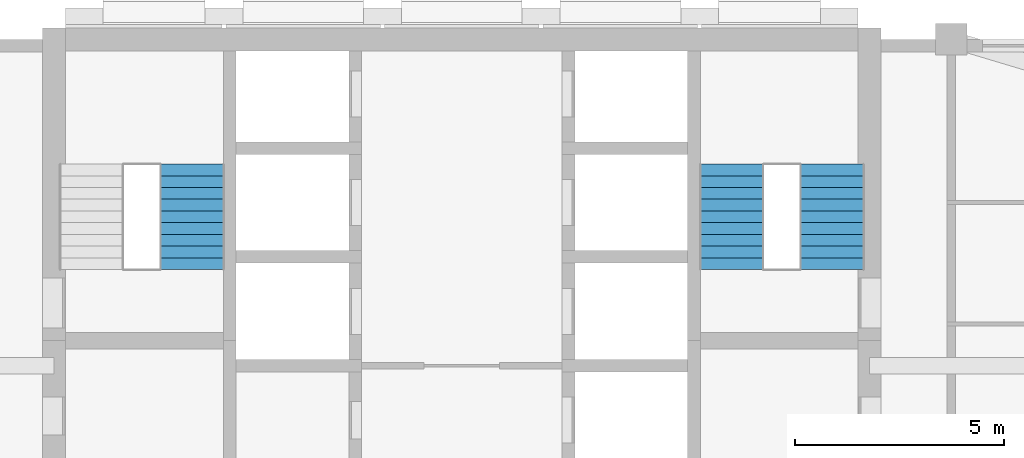
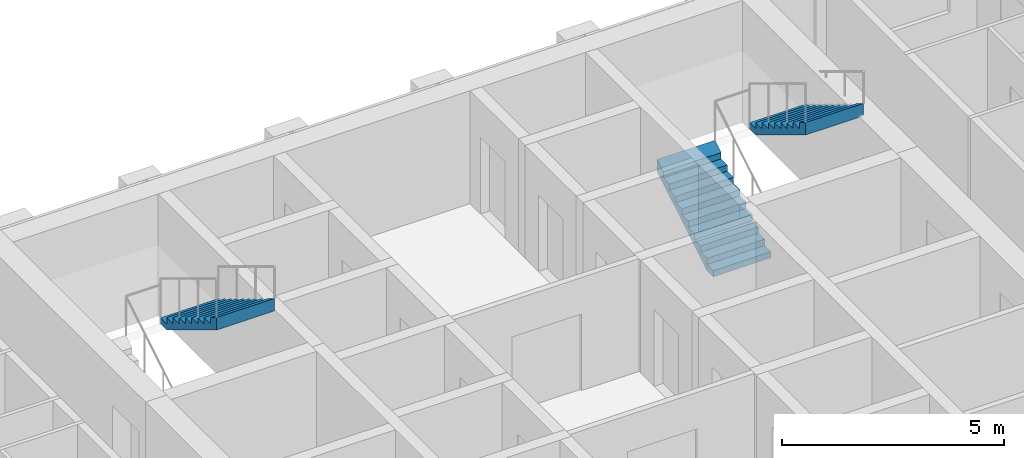
# One storey, part 11 of 13: 3 stair flights, 2 elements without a shape of their own.
"""IFC4 building model written with IfcOpenShell, lengths in metres."""

from ifc_helpers import new_model, si_unit, direction, frame, origin, place, context, subcontext, project, spatial, triangles, material, type_object, element, aggregate, save


model = new_model("IFC4")

# Units and contexts
model_context = context("Model", 3, precision=1e-05, world=origin(), true_north=direction((0.0, 1.0)))
body_context = subcontext(model_context, "Body", "Model", "MODEL_VIEW")
ifc_project = project(units=[si_unit("LENGTHUNIT", "METRE"), si_unit("AREAUNIT", "SQUARE_METRE"), si_unit("VOLUMEUNIT", "CUBIC_METRE"), si_unit("PLANEANGLEUNIT", "RADIAN"), si_unit("MASSUNIT", "GRAM", prefix="KILO")], contexts=[model_context])

# Site, building, storey
site_placement = place(None, origin())
site = spatial("IfcSite", under=ifc_project, at=site_placement, CompositionType="ELEMENT")
building_placement = place(site_placement, origin())
building = spatial("IfcBuilding", under=site, at=building_placement, Name="Ludao Terraces", CompositionType="ELEMENT")
storey_placement = place(building_placement, frame((0.0, 0.0, 169.0)))
storey = spatial("IfcBuildingStorey", under=building, at=storey_placement, Name="L46", CompositionType="ELEMENT", Elevation=169.0)

# Stair, stair flight
ifc_material = material(Name="Concrete C40", Category="concrete")
stair_type = type_object("IfcStairType", Name="INT Stair", PredefinedType="HALF_TURN_STAIR", material=ifc_material)
stair_1_placement = place(storey_placement, origin())
stair_1 = element("IfcStair", 1, at=stair_1_placement, inside=storey, type_object=stair_type, Name="EXIT STAIR 1", PredefinedType="HALF_TURN_STAIR")
stair_flight_type = type_object("IfcStairFlightType", Name="INT Stair flight", PredefinedType="STRAIGHT", material=ifc_material)
stair_flight_1_placement = place(storey_placement, frame((78.550048828125, 81.52001953125, 1.699951171875), z_axis=(0.0, 0.0, 1.0), x_axis=(0.0, -1.0, 0.0)))
stair_flight_1 = element("IfcStairFlight", 2, at=stair_flight_1_placement, type_object=stair_flight_type, Name="ST1 flight 2", NumberOfRisers=10, NumberOfTreads=9, PredefinedType="STRAIGHT", RiserHeight=0.17, TreadLength=0.28, context=body_context, shape_type="Tessellation", body=[
    triangles([(0.0, -0.75, 0.0), (0.0, -0.5, 0.0), (0.0, -0.25, 0.0), (0.0, 0.0, 0.0), (0.0, 0.25, 0.0), (0.0, 0.5, 0.0), (0.0, 0.75, 0.0), (0.0, -0.75, 0.169921875), (0.0, -0.5, 0.169921875), (0.0, -0.25, 0.169921875), (0.0, 0.0, 0.169921875), (0.0, 0.25, 0.169921875), (0.0, 0.5, 0.169921875), (0.0, 0.75, 0.169921875), (0.280029296875, -0.75, 0.169921875), (0.280029296875, -0.5, 0.169921875), (0.280029296875, -0.25, 0.169921875), (0.280029296875, 0.0, 0.169921875), (0.280029296875, 0.25, 0.169921875), (0.280029296875, 0.5, 0.169921875), (0.280029296875, 0.75, 0.169921875), (0.280029296875, -0.75, 0.340087890625), (0.280029296875, -0.5, 0.340087890625), (0.280029296875, -0.25, 0.340087890625), (0.280029296875, 0.0, 0.340087890625), (0.280029296875, 0.25, 0.340087890625), (0.280029296875, 0.5, 0.340087890625), (0.280029296875, 0.75, 0.340087890625), (0.56005859375, -0.75, 0.340087890625), (0.56005859375, -0.5, 0.340087890625), (0.56005859375, -0.25, 0.340087890625), (0.56005859375, 0.0, 0.340087890625), (0.56005859375, 0.25, 0.340087890625), (0.56005859375, 0.5, 0.340087890625), (0.56005859375, 0.75, 0.340087890625), (0.56005859375, -0.75, 0.510009765625), (0.56005859375, -0.5, 0.510009765625), (0.56005859375, -0.25, 0.510009765625), (0.56005859375, 0.0, 0.510009765625), (0.56005859375, 0.25, 0.510009765625), (0.56005859375, 0.5, 0.510009765625), (0.56005859375, 0.75, 0.510009765625), (0.840087890625, -0.75, 0.510009765625), (0.840087890625, -0.5, 0.510009765625), (0.840087890625, -0.25, 0.510009765625), (0.840087890625, 0.0, 0.510009765625), (0.840087890625, 0.25, 0.510009765625), (0.840087890625, 0.5, 0.510009765625), (0.840087890625, 0.75, 0.510009765625), (0.840087890625, -0.75, 0.679931640625), (0.840087890625, -0.5, 0.679931640625), (0.840087890625, -0.25, 0.679931640625), (0.840087890625, 0.0, 0.679931640625), (0.840087890625, 0.25, 0.679931640625), (0.840087890625, 0.5, 0.679931640625), (0.840087890625, 0.75, 0.679931640625), (1.1201171875, -0.75, 0.679931640625), (1.1201171875, -0.5, 0.679931640625), (1.1201171875, -0.25, 0.679931640625), (1.1201171875, 0.0, 0.679931640625), (1.1201171875, 0.25, 0.679931640625), (1.1201171875, 0.5, 0.679931640625), (1.1201171875, 0.75, 0.679931640625), (1.1201171875, -0.75, 0.85009765625), (1.1201171875, -0.5, 0.85009765625), (1.1201171875, -0.25, 0.85009765625), (1.1201171875, 0.0, 0.85009765625), (1.1201171875, 0.25, 0.85009765625), (1.1201171875, 0.5, 0.85009765625), (1.1201171875, 0.75, 0.85009765625), (1.39990234375, -0.75, 0.85009765625), (1.39990234375, -0.5, 0.85009765625), (1.39990234375, -0.25, 0.85009765625), (1.39990234375, 0.0, 0.85009765625), (1.39990234375, 0.25, 0.85009765625), (1.39990234375, 0.5, 0.85009765625), (1.39990234375, 0.75, 0.85009765625), (1.39990234375, -0.75, 1.02001953125), (1.39990234375, -0.5, 1.02001953125), (1.39990234375, -0.25, 1.02001953125), (1.39990234375, 0.0, 1.02001953125), (1.39990234375, 0.25, 1.02001953125), (1.39990234375, 0.5, 1.02001953125), (1.39990234375, 0.75, 1.02001953125), (1.679931640625, -0.75, 1.02001953125), (1.679931640625, -0.5, 1.02001953125), (1.679931640625, -0.25, 1.02001953125), (1.679931640625, 0.0, 1.02001953125), (1.679931640625, 0.25, 1.02001953125), (1.679931640625, 0.5, 1.02001953125), (1.679931640625, 0.75, 1.02001953125), (1.679931640625, -0.75, 1.18994140625), (1.679931640625, -0.5, 1.18994140625), (1.679931640625, -0.25, 1.18994140625), (1.679931640625, 0.0, 1.18994140625), (1.679931640625, 0.25, 1.18994140625), (1.679931640625, 0.5, 1.18994140625), (1.679931640625, 0.75, 1.18994140625), (1.9599609375, -0.75, 1.18994140625), (1.9599609375, -0.5, 1.18994140625), (1.9599609375, -0.25, 1.18994140625), (1.9599609375, 0.0, 1.18994140625), (1.9599609375, 0.25, 1.18994140625), (1.9599609375, 0.5, 1.18994140625), (1.9599609375, 0.75, 1.18994140625), (1.9599609375, -0.75, 1.360107421875), (1.9599609375, -0.5, 1.360107421875), (1.9599609375, -0.25, 1.360107421875), (1.9599609375, 0.0, 1.360107421875), (1.9599609375, 0.25, 1.360107421875), (1.9599609375, 0.5, 1.360107421875), (1.9599609375, 0.75, 1.360107421875), (2.239990234375, -0.75, 1.360107421875), (2.239990234375, -0.5, 1.360107421875), (2.239990234375, -0.25, 1.360107421875), (2.239990234375, 0.0, 1.360107421875), (2.239990234375, 0.25, 1.360107421875), (2.239990234375, 0.5, 1.360107421875), (2.239990234375, 0.75, 1.360107421875), (2.239990234375, -0.75, 1.530029296875), (2.239990234375, -0.5, 1.530029296875), (2.239990234375, -0.25, 1.530029296875), (2.239990234375, 0.0, 1.530029296875), (2.239990234375, 0.25, 1.530029296875), (2.239990234375, 0.5, 1.530029296875), (2.239990234375, 0.75, 1.530029296875), (2.52001953125, -0.75, 1.699951171875), (2.52001953125, -0.5, 1.699951171875), (2.52001953125, -0.25, 1.699951171875), (2.52001953125, 0.0, 1.699951171875), (2.52001953125, 0.25, 1.699951171875), (2.52001953125, 0.5, 1.699951171875), (2.52001953125, 0.75, 1.699951171875), (2.52001953125, -0.75, 1.354736328125), (2.52001953125, -0.5, 1.354736328125), (2.52001953125, -0.25, 1.354736328125), (2.52001953125, 0.0, 1.354736328125), (2.52001953125, 0.25, 1.354736328125), (2.52001953125, 0.5, 1.354736328125), (2.52001953125, 0.75, 1.354736328125), (0.288818359375, -0.75, 0.0), (0.288818359375, -0.5, 0.0), (0.288818359375, -0.25, 0.0), (0.288818359375, 0.0, 0.0), (0.288818359375, 0.25, 0.0), (0.288818359375, 0.5, 0.0), (0.288818359375, 0.75, 0.0)], [[1, 141, 134], [7, 140, 147], [134, 127, 120], [140, 126, 133], [134, 120, 113], [140, 119, 126], [134, 113, 106], [140, 112, 119], [134, 106, 99], [140, 105, 112], [99, 92, 85], [105, 91, 98], [134, 99, 85], [140, 91, 105], [85, 78, 71], [91, 77, 84], [134, 85, 71], [140, 77, 91], [71, 64, 57], [77, 63, 70], [134, 71, 57], [140, 63, 77], [57, 50, 43], [63, 49, 56], [134, 57, 43], [140, 49, 63], [43, 36, 29], [49, 35, 42], [134, 43, 29], [140, 35, 49], [29, 22, 15], [35, 21, 28], [134, 29, 15], [140, 21, 35], [1, 134, 15], [7, 21, 140], [15, 8, 1], [21, 7, 14], [1, 9, 2], [1, 8, 9], [2, 10, 3], [2, 9, 10], [3, 11, 4], [3, 10, 11], [4, 12, 5], [4, 11, 12], [5, 13, 6], [5, 12, 13], [6, 14, 7], [6, 13, 14], [8, 16, 9], [8, 15, 16], [9, 17, 10], [9, 16, 17], [10, 18, 11], [10, 17, 18], [11, 19, 12], [11, 18, 19], [12, 20, 13], [12, 19, 20], [13, 21, 14], [13, 20, 21], [15, 23, 16], [15, 22, 23], [16, 24, 17], [16, 23, 24], [17, 25, 18], [17, 24, 25], [18, 26, 19], [18, 25, 26], [19, 27, 20], [19, 26, 27], [20, 28, 21], [20, 27, 28], [22, 30, 23], [22, 29, 30], [23, 31, 24], [23, 30, 31], [24, 32, 25], [24, 31, 32], [25, 33, 26], [25, 32, 33], [26, 34, 27], [26, 33, 34], [27, 35, 28], [27, 34, 35], [29, 37, 30], [29, 36, 37], [30, 38, 31], [30, 37, 38], [31, 39, 32], [31, 38, 39], [32, 40, 33], [32, 39, 40], [33, 41, 34], [33, 40, 41], [34, 42, 35], [34, 41, 42], [36, 44, 37], [36, 43, 44], [37, 45, 38], [37, 44, 45], [38, 46, 39], [38, 45, 46], [39, 47, 40], [39, 46, 47], [40, 48, 41], [40, 47, 48], [41, 49, 42], [41, 48, 49], [43, 51, 44], [43, 50, 51], [44, 52, 45], [44, 51, 52], [45, 53, 46], [45, 52, 53], [46, 54, 47], [46, 53, 54], [47, 55, 48], [47, 54, 55], [48, 56, 49], [48, 55, 56], [50, 58, 51], [50, 57, 58], [51, 59, 52], [51, 58, 59], [52, 60, 53], [52, 59, 60], [53, 61, 54], [53, 60, 61], [54, 62, 55], [54, 61, 62], [55, 63, 56], [55, 62, 63], [57, 65, 58], [57, 64, 65], [58, 66, 59], [58, 65, 66], [59, 67, 60], [59, 66, 67], [60, 68, 61], [60, 67, 68], [61, 69, 62], [61, 68, 69], [62, 70, 63], [62, 69, 70], [64, 72, 65], [64, 71, 72], [65, 73, 66], [65, 72, 73], [66, 74, 67], [66, 73, 74], [67, 75, 68], [67, 74, 75], [68, 76, 69], [68, 75, 76], [69, 77, 70], [69, 76, 77], [71, 79, 72], [71, 78, 79], [72, 80, 73], [72, 79, 80], [73, 81, 74], [73, 80, 81], [74, 82, 75], [74, 81, 82], [75, 83, 76], [75, 82, 83], [76, 84, 77], [76, 83, 84], [78, 86, 79], [78, 85, 86], [79, 87, 80], [79, 86, 87], [80, 88, 81], [80, 87, 88], [81, 89, 82], [81, 88, 89], [82, 90, 83], [82, 89, 90], [83, 91, 84], [83, 90, 91], [85, 93, 86], [85, 92, 93], [86, 94, 87], [86, 93, 94], [87, 95, 88], [87, 94, 95], [88, 96, 89], [88, 95, 96], [89, 97, 90], [89, 96, 97], [90, 98, 91], [90, 97, 98], [92, 100, 93], [92, 99, 100], [93, 101, 94], [93, 100, 101], [94, 102, 95], [94, 101, 102], [95, 103, 96], [95, 102, 103], [96, 104, 97], [96, 103, 104], [97, 105, 98], [97, 104, 105], [99, 107, 100], [99, 106, 107], [100, 108, 101], [100, 107, 108], [101, 109, 102], [101, 108, 109], [102, 110, 103], [102, 109, 110], [103, 111, 104], [103, 110, 111], [104, 112, 105], [104, 111, 112], [106, 114, 107], [106, 113, 114], [107, 115, 108], [107, 114, 115], [108, 116, 109], [108, 115, 116], [109, 117, 110], [109, 116, 117], [110, 118, 111], [110, 117, 118], [111, 119, 112], [111, 118, 119], [113, 121, 114], [113, 120, 121], [114, 122, 115], [114, 121, 122], [115, 123, 116], [115, 122, 123], [116, 124, 117], [116, 123, 124], [117, 125, 118], [117, 124, 125], [118, 126, 119], [118, 125, 126], [120, 128, 121], [120, 127, 128], [121, 129, 122], [121, 128, 129], [122, 130, 123], [122, 129, 130], [123, 131, 124], [123, 130, 131], [124, 132, 125], [124, 131, 132], [125, 133, 126], [125, 132, 133], [127, 135, 128], [127, 134, 135], [128, 136, 129], [128, 135, 136], [129, 137, 130], [129, 136, 137], [130, 138, 131], [130, 137, 138], [131, 139, 132], [131, 138, 139], [132, 140, 133], [132, 139, 140], [134, 142, 135], [134, 141, 142], [135, 143, 136], [135, 142, 143], [136, 144, 137], [136, 143, 144], [137, 145, 138], [137, 144, 145], [138, 146, 139], [138, 145, 146], [139, 147, 140], [139, 146, 147], [141, 2, 142], [141, 1, 2], [142, 3, 143], [142, 2, 3], [143, 4, 144], [143, 3, 4], [144, 5, 145], [144, 4, 5], [145, 6, 146], [145, 5, 6], [146, 7, 147], [146, 6, 7]], closed=True),
])
aggregate(stair_1, [stair_flight_1])

# Stair, stair flights
stair_2_placement = place(storey_placement, origin())
stair_2 = element("IfcStair", 3, at=stair_2_placement, inside=storey, type_object=stair_type, Name="EXIT STAIR 2", PredefinedType="HALF_TURN_STAIR")
stair_flight_2_placement = place(storey_placement, frame((91.449951171875, 79.0, 0.0), z_axis=(0.0, 0.0, 1.0), x_axis=(0.0, 1.0, 0.0)))
stair_flight_2 = element("IfcStairFlight", 4, at=stair_flight_2_placement, type_object=stair_flight_type, Name="ST2 flight 1", NumberOfRisers=10, NumberOfTreads=9, PredefinedType="STRAIGHT", RiserHeight=0.17, TreadLength=0.28, context=body_context, shape_type="Tessellation", body=[
    triangles([(0.0, -0.75, 0.0), (0.0, -0.5, 0.0), (0.0, -0.25, 0.0), (0.0, 0.0, 0.0), (0.0, 0.25, 0.0), (0.0, 0.5, 0.0), (0.0, 0.75, 0.0), (0.0, -0.75, 0.169921875), (0.0, -0.5, 0.169921875), (0.0, -0.25, 0.169921875), (0.0, 0.0, 0.169921875), (0.0, 0.25, 0.169921875), (0.0, 0.5, 0.169921875), (0.0, 0.75, 0.169921875), (0.280029296875, -0.75, 0.169921875), (0.280029296875, -0.5, 0.169921875), (0.280029296875, -0.25, 0.169921875), (0.280029296875, 0.0, 0.169921875), (0.280029296875, 0.25, 0.169921875), (0.280029296875, 0.5, 0.169921875), (0.280029296875, 0.75, 0.169921875), (0.280029296875, -0.75, 0.340087890625), (0.280029296875, -0.5, 0.340087890625), (0.280029296875, -0.25, 0.340087890625), (0.280029296875, 0.0, 0.340087890625), (0.280029296875, 0.25, 0.340087890625), (0.280029296875, 0.5, 0.340087890625), (0.280029296875, 0.75, 0.340087890625), (0.56005859375, -0.75, 0.340087890625), (0.56005859375, -0.5, 0.340087890625), (0.56005859375, -0.25, 0.340087890625), (0.56005859375, 0.0, 0.340087890625), (0.56005859375, 0.25, 0.340087890625), (0.56005859375, 0.5, 0.340087890625), (0.56005859375, 0.75, 0.340087890625), (0.56005859375, -0.75, 0.510009765625), (0.56005859375, -0.5, 0.510009765625), (0.56005859375, -0.25, 0.510009765625), (0.56005859375, 0.0, 0.510009765625), (0.56005859375, 0.25, 0.510009765625), (0.56005859375, 0.5, 0.510009765625), (0.56005859375, 0.75, 0.510009765625), (0.840087890625, -0.75, 0.510009765625), (0.840087890625, -0.5, 0.510009765625), (0.840087890625, -0.25, 0.510009765625), (0.840087890625, 0.0, 0.510009765625), (0.840087890625, 0.25, 0.510009765625), (0.840087890625, 0.5, 0.510009765625), (0.840087890625, 0.75, 0.510009765625), (0.840087890625, -0.75, 0.679931640625), (0.840087890625, -0.5, 0.679931640625), (0.840087890625, -0.25, 0.679931640625), (0.840087890625, 0.0, 0.679931640625), (0.840087890625, 0.25, 0.679931640625), (0.840087890625, 0.5, 0.679931640625), (0.840087890625, 0.75, 0.679931640625), (1.1201171875, -0.75, 0.679931640625), (1.1201171875, -0.5, 0.679931640625), (1.1201171875, -0.25, 0.679931640625), (1.1201171875, 0.0, 0.679931640625), (1.1201171875, 0.25, 0.679931640625), (1.1201171875, 0.5, 0.679931640625), (1.1201171875, 0.75, 0.679931640625), (1.1201171875, -0.75, 0.85009765625), (1.1201171875, -0.5, 0.85009765625), (1.1201171875, -0.25, 0.85009765625), (1.1201171875, 0.0, 0.85009765625), (1.1201171875, 0.25, 0.85009765625), (1.1201171875, 0.5, 0.85009765625), (1.1201171875, 0.75, 0.85009765625), (1.39990234375, -0.75, 0.85009765625), (1.39990234375, -0.5, 0.85009765625), (1.39990234375, -0.25, 0.85009765625), (1.39990234375, 0.0, 0.85009765625), (1.39990234375, 0.25, 0.85009765625), (1.39990234375, 0.5, 0.85009765625), (1.39990234375, 0.75, 0.85009765625), (1.39990234375, -0.75, 1.02001953125), (1.39990234375, -0.5, 1.02001953125), (1.39990234375, -0.25, 1.02001953125), (1.39990234375, 0.0, 1.02001953125), (1.39990234375, 0.25, 1.02001953125), (1.39990234375, 0.5, 1.02001953125), (1.39990234375, 0.75, 1.02001953125), (1.679931640625, -0.75, 1.02001953125), (1.679931640625, -0.5, 1.02001953125), (1.679931640625, -0.25, 1.02001953125), (1.679931640625, 0.0, 1.02001953125), (1.679931640625, 0.25, 1.02001953125), (1.679931640625, 0.5, 1.02001953125), (1.679931640625, 0.75, 1.02001953125), (1.679931640625, -0.75, 1.18994140625), (1.679931640625, -0.5, 1.18994140625), (1.679931640625, -0.25, 1.18994140625), (1.679931640625, 0.0, 1.18994140625), (1.679931640625, 0.25, 1.18994140625), (1.679931640625, 0.5, 1.18994140625), (1.679931640625, 0.75, 1.18994140625), (1.9599609375, -0.75, 1.18994140625), (1.9599609375, -0.5, 1.18994140625), (1.9599609375, -0.25, 1.18994140625), (1.9599609375, 0.0, 1.18994140625), (1.9599609375, 0.25, 1.18994140625), (1.9599609375, 0.5, 1.18994140625), (1.9599609375, 0.75, 1.18994140625), (1.9599609375, -0.75, 1.360107421875), (1.9599609375, -0.5, 1.360107421875), (1.9599609375, -0.25, 1.360107421875), (1.9599609375, 0.0, 1.360107421875), (1.9599609375, 0.25, 1.360107421875), (1.9599609375, 0.5, 1.360107421875), (1.9599609375, 0.75, 1.360107421875), (2.239990234375, -0.75, 1.360107421875), (2.239990234375, -0.5, 1.360107421875), (2.239990234375, -0.25, 1.360107421875), (2.239990234375, 0.0, 1.360107421875), (2.239990234375, 0.25, 1.360107421875), (2.239990234375, 0.5, 1.360107421875), (2.239990234375, 0.75, 1.360107421875), (2.239990234375, -0.75, 1.530029296875), (2.239990234375, -0.5, 1.530029296875), (2.239990234375, -0.25, 1.530029296875), (2.239990234375, 0.0, 1.530029296875), (2.239990234375, 0.25, 1.530029296875), (2.239990234375, 0.5, 1.530029296875), (2.239990234375, 0.75, 1.530029296875), (2.52001953125, -0.75, 1.699951171875), (2.52001953125, -0.5, 1.699951171875), (2.52001953125, -0.25, 1.699951171875), (2.52001953125, 0.0, 1.699951171875), (2.52001953125, 0.25, 1.699951171875), (2.52001953125, 0.5, 1.699951171875), (2.52001953125, 0.75, 1.699951171875), (2.52001953125, -0.75, 1.354736328125), (2.52001953125, -0.5, 1.354736328125), (2.52001953125, -0.25, 1.354736328125), (2.52001953125, 0.0, 1.354736328125), (2.52001953125, 0.25, 1.354736328125), (2.52001953125, 0.5, 1.354736328125), (2.52001953125, 0.75, 1.354736328125), (0.288818359375, -0.75, 0.0), (0.288818359375, -0.5, 0.0), (0.288818359375, -0.25, 0.0), (0.288818359375, 0.0, 0.0), (0.288818359375, 0.25, 0.0), (0.288818359375, 0.5, 0.0), (0.288818359375, 0.75, 0.0)], [[1, 141, 134], [7, 140, 147], [134, 127, 120], [140, 126, 133], [134, 120, 113], [140, 119, 126], [134, 113, 106], [140, 112, 119], [134, 106, 99], [140, 105, 112], [99, 92, 85], [105, 91, 98], [134, 99, 85], [140, 91, 105], [85, 78, 71], [91, 77, 84], [134, 85, 71], [140, 77, 91], [71, 64, 57], [77, 63, 70], [134, 71, 57], [140, 63, 77], [57, 50, 43], [63, 49, 56], [134, 57, 43], [140, 49, 63], [43, 36, 29], [49, 35, 42], [134, 43, 29], [140, 35, 49], [29, 22, 15], [35, 21, 28], [134, 29, 15], [140, 21, 35], [1, 134, 15], [7, 21, 140], [15, 8, 1], [21, 7, 14], [1, 9, 2], [1, 8, 9], [2, 10, 3], [2, 9, 10], [3, 11, 4], [3, 10, 11], [4, 12, 5], [4, 11, 12], [5, 13, 6], [5, 12, 13], [6, 14, 7], [6, 13, 14], [8, 16, 9], [8, 15, 16], [9, 17, 10], [9, 16, 17], [10, 18, 11], [10, 17, 18], [11, 19, 12], [11, 18, 19], [12, 20, 13], [12, 19, 20], [13, 21, 14], [13, 20, 21], [15, 23, 16], [15, 22, 23], [16, 24, 17], [16, 23, 24], [17, 25, 18], [17, 24, 25], [18, 26, 19], [18, 25, 26], [19, 27, 20], [19, 26, 27], [20, 28, 21], [20, 27, 28], [22, 30, 23], [22, 29, 30], [23, 31, 24], [23, 30, 31], [24, 32, 25], [24, 31, 32], [25, 33, 26], [25, 32, 33], [26, 34, 27], [26, 33, 34], [27, 35, 28], [27, 34, 35], [29, 37, 30], [29, 36, 37], [30, 38, 31], [30, 37, 38], [31, 39, 32], [31, 38, 39], [32, 40, 33], [32, 39, 40], [33, 41, 34], [33, 40, 41], [34, 42, 35], [34, 41, 42], [36, 44, 37], [36, 43, 44], [37, 45, 38], [37, 44, 45], [38, 46, 39], [38, 45, 46], [39, 47, 40], [39, 46, 47], [40, 48, 41], [40, 47, 48], [41, 49, 42], [41, 48, 49], [43, 51, 44], [43, 50, 51], [44, 52, 45], [44, 51, 52], [45, 53, 46], [45, 52, 53], [46, 54, 47], [46, 53, 54], [47, 55, 48], [47, 54, 55], [48, 56, 49], [48, 55, 56], [50, 58, 51], [50, 57, 58], [51, 59, 52], [51, 58, 59], [52, 60, 53], [52, 59, 60], [53, 61, 54], [53, 60, 61], [54, 62, 55], [54, 61, 62], [55, 63, 56], [55, 62, 63], [57, 65, 58], [57, 64, 65], [58, 66, 59], [58, 65, 66], [59, 67, 60], [59, 66, 67], [60, 68, 61], [60, 67, 68], [61, 69, 62], [61, 68, 69], [62, 70, 63], [62, 69, 70], [64, 72, 65], [64, 71, 72], [65, 73, 66], [65, 72, 73], [66, 74, 67], [66, 73, 74], [67, 75, 68], [67, 74, 75], [68, 76, 69], [68, 75, 76], [69, 77, 70], [69, 76, 77], [71, 79, 72], [71, 78, 79], [72, 80, 73], [72, 79, 80], [73, 81, 74], [73, 80, 81], [74, 82, 75], [74, 81, 82], [75, 83, 76], [75, 82, 83], [76, 84, 77], [76, 83, 84], [78, 86, 79], [78, 85, 86], [79, 87, 80], [79, 86, 87], [80, 88, 81], [80, 87, 88], [81, 89, 82], [81, 88, 89], [82, 90, 83], [82, 89, 90], [83, 91, 84], [83, 90, 91], [85, 93, 86], [85, 92, 93], [86, 94, 87], [86, 93, 94], [87, 95, 88], [87, 94, 95], [88, 96, 89], [88, 95, 96], [89, 97, 90], [89, 96, 97], [90, 98, 91], [90, 97, 98], [92, 100, 93], [92, 99, 100], [93, 101, 94], [93, 100, 101], [94, 102, 95], [94, 101, 102], [95, 103, 96], [95, 102, 103], [96, 104, 97], [96, 103, 104], [97, 105, 98], [97, 104, 105], [99, 107, 100], [99, 106, 107], [100, 108, 101], [100, 107, 108], [101, 109, 102], [101, 108, 109], [102, 110, 103], [102, 109, 110], [103, 111, 104], [103, 110, 111], [104, 112, 105], [104, 111, 112], [106, 114, 107], [106, 113, 114], [107, 115, 108], [107, 114, 115], [108, 116, 109], [108, 115, 116], [109, 117, 110], [109, 116, 117], [110, 118, 111], [110, 117, 118], [111, 119, 112], [111, 118, 119], [113, 121, 114], [113, 120, 121], [114, 122, 115], [114, 121, 122], [115, 123, 116], [115, 122, 123], [116, 124, 117], [116, 123, 124], [117, 125, 118], [117, 124, 125], [118, 126, 119], [118, 125, 126], [120, 128, 121], [120, 127, 128], [121, 129, 122], [121, 128, 129], [122, 130, 123], [122, 129, 130], [123, 131, 124], [123, 130, 131], [124, 132, 125], [124, 131, 132], [125, 133, 126], [125, 132, 133], [127, 135, 128], [127, 134, 135], [128, 136, 129], [128, 135, 136], [129, 137, 130], [129, 136, 137], [130, 138, 131], [130, 137, 138], [131, 139, 132], [131, 138, 139], [132, 140, 133], [132, 139, 140], [134, 142, 135], [134, 141, 142], [135, 143, 136], [135, 142, 143], [136, 144, 137], [136, 143, 144], [137, 145, 138], [137, 144, 145], [138, 146, 139], [138, 145, 146], [139, 147, 140], [139, 146, 147], [141, 2, 142], [141, 1, 2], [142, 3, 143], [142, 2, 3], [143, 4, 144], [143, 3, 4], [144, 5, 145], [144, 4, 5], [145, 6, 146], [145, 5, 6], [146, 7, 147], [146, 6, 7]], closed=True),
])
stair_flight_3_placement = place(storey_placement, frame((93.85009765625, 81.52001953125, 1.699951171875), z_axis=(0.0, 0.0, 1.0), x_axis=(0.0, -1.0, 0.0)))
stair_flight_3 = element("IfcStairFlight", 5, at=stair_flight_3_placement, type_object=stair_flight_type, Name="ST2 flight 2", NumberOfRisers=10, NumberOfTreads=9, PredefinedType="STRAIGHT", RiserHeight=0.17, TreadLength=0.28, context=body_context, shape_type="Tessellation", body=[
    triangles([(0.0, -0.75, 0.0), (0.0, -0.5, 0.0), (0.0, -0.25, 0.0), (0.0, 0.0, 0.0), (0.0, 0.25, 0.0), (0.0, 0.5, 0.0), (0.0, 0.75, 0.0), (0.0, -0.75, 0.169921875), (0.0, -0.5, 0.169921875), (0.0, -0.25, 0.169921875), (0.0, 0.0, 0.169921875), (0.0, 0.25, 0.169921875), (0.0, 0.5, 0.169921875), (0.0, 0.75, 0.169921875), (0.280029296875, -0.75, 0.169921875), (0.280029296875, -0.5, 0.169921875), (0.280029296875, -0.25, 0.169921875), (0.280029296875, 0.0, 0.169921875), (0.280029296875, 0.25, 0.169921875), (0.280029296875, 0.5, 0.169921875), (0.280029296875, 0.75, 0.169921875), (0.280029296875, -0.75, 0.340087890625), (0.280029296875, -0.5, 0.340087890625), (0.280029296875, -0.25, 0.340087890625), (0.280029296875, 0.0, 0.340087890625), (0.280029296875, 0.25, 0.340087890625), (0.280029296875, 0.5, 0.340087890625), (0.280029296875, 0.75, 0.340087890625), (0.56005859375, -0.75, 0.340087890625), (0.56005859375, -0.5, 0.340087890625), (0.56005859375, -0.25, 0.340087890625), (0.56005859375, 0.0, 0.340087890625), (0.56005859375, 0.25, 0.340087890625), (0.56005859375, 0.5, 0.340087890625), (0.56005859375, 0.75, 0.340087890625), (0.56005859375, -0.75, 0.510009765625), (0.56005859375, -0.5, 0.510009765625), (0.56005859375, -0.25, 0.510009765625), (0.56005859375, 0.0, 0.510009765625), (0.56005859375, 0.25, 0.510009765625), (0.56005859375, 0.5, 0.510009765625), (0.56005859375, 0.75, 0.510009765625), (0.840087890625, -0.75, 0.510009765625), (0.840087890625, -0.5, 0.510009765625), (0.840087890625, -0.25, 0.510009765625), (0.840087890625, 0.0, 0.510009765625), (0.840087890625, 0.25, 0.510009765625), (0.840087890625, 0.5, 0.510009765625), (0.840087890625, 0.75, 0.510009765625), (0.840087890625, -0.75, 0.679931640625), (0.840087890625, -0.5, 0.679931640625), (0.840087890625, -0.25, 0.679931640625), (0.840087890625, 0.0, 0.679931640625), (0.840087890625, 0.25, 0.679931640625), (0.840087890625, 0.5, 0.679931640625), (0.840087890625, 0.75, 0.679931640625), (1.1201171875, -0.75, 0.679931640625), (1.1201171875, -0.5, 0.679931640625), (1.1201171875, -0.25, 0.679931640625), (1.1201171875, 0.0, 0.679931640625), (1.1201171875, 0.25, 0.679931640625), (1.1201171875, 0.5, 0.679931640625), (1.1201171875, 0.75, 0.679931640625), (1.1201171875, -0.75, 0.85009765625), (1.1201171875, -0.5, 0.85009765625), (1.1201171875, -0.25, 0.85009765625), (1.1201171875, 0.0, 0.85009765625), (1.1201171875, 0.25, 0.85009765625), (1.1201171875, 0.5, 0.85009765625), (1.1201171875, 0.75, 0.85009765625), (1.39990234375, -0.75, 0.85009765625), (1.39990234375, -0.5, 0.85009765625), (1.39990234375, -0.25, 0.85009765625), (1.39990234375, 0.0, 0.85009765625), (1.39990234375, 0.25, 0.85009765625), (1.39990234375, 0.5, 0.85009765625), (1.39990234375, 0.75, 0.85009765625), (1.39990234375, -0.75, 1.02001953125), (1.39990234375, -0.5, 1.02001953125), (1.39990234375, -0.25, 1.02001953125), (1.39990234375, 0.0, 1.02001953125), (1.39990234375, 0.25, 1.02001953125), (1.39990234375, 0.5, 1.02001953125), (1.39990234375, 0.75, 1.02001953125), (1.679931640625, -0.75, 1.02001953125), (1.679931640625, -0.5, 1.02001953125), (1.679931640625, -0.25, 1.02001953125), (1.679931640625, 0.0, 1.02001953125), (1.679931640625, 0.25, 1.02001953125), (1.679931640625, 0.5, 1.02001953125), (1.679931640625, 0.75, 1.02001953125), (1.679931640625, -0.75, 1.18994140625), (1.679931640625, -0.5, 1.18994140625), (1.679931640625, -0.25, 1.18994140625), (1.679931640625, 0.0, 1.18994140625), (1.679931640625, 0.25, 1.18994140625), (1.679931640625, 0.5, 1.18994140625), (1.679931640625, 0.75, 1.18994140625), (1.9599609375, -0.75, 1.18994140625), (1.9599609375, -0.5, 1.18994140625), (1.9599609375, -0.25, 1.18994140625), (1.9599609375, 0.0, 1.18994140625), (1.9599609375, 0.25, 1.18994140625), (1.9599609375, 0.5, 1.18994140625), (1.9599609375, 0.75, 1.18994140625), (1.9599609375, -0.75, 1.360107421875), (1.9599609375, -0.5, 1.360107421875), (1.9599609375, -0.25, 1.360107421875), (1.9599609375, 0.0, 1.360107421875), (1.9599609375, 0.25, 1.360107421875), (1.9599609375, 0.5, 1.360107421875), (1.9599609375, 0.75, 1.360107421875), (2.239990234375, -0.75, 1.360107421875), (2.239990234375, -0.5, 1.360107421875), (2.239990234375, -0.25, 1.360107421875), (2.239990234375, 0.0, 1.360107421875), (2.239990234375, 0.25, 1.360107421875), (2.239990234375, 0.5, 1.360107421875), (2.239990234375, 0.75, 1.360107421875), (2.239990234375, -0.75, 1.530029296875), (2.239990234375, -0.5, 1.530029296875), (2.239990234375, -0.25, 1.530029296875), (2.239990234375, 0.0, 1.530029296875), (2.239990234375, 0.25, 1.530029296875), (2.239990234375, 0.5, 1.530029296875), (2.239990234375, 0.75, 1.530029296875), (2.52001953125, -0.75, 1.699951171875), (2.52001953125, -0.5, 1.699951171875), (2.52001953125, -0.25, 1.699951171875), (2.52001953125, 0.0, 1.699951171875), (2.52001953125, 0.25, 1.699951171875), (2.52001953125, 0.5, 1.699951171875), (2.52001953125, 0.75, 1.699951171875), (2.52001953125, -0.75, 1.354736328125), (2.52001953125, -0.5, 1.354736328125), (2.52001953125, -0.25, 1.354736328125), (2.52001953125, 0.0, 1.354736328125), (2.52001953125, 0.25, 1.354736328125), (2.52001953125, 0.5, 1.354736328125), (2.52001953125, 0.75, 1.354736328125), (0.288818359375, -0.75, 0.0), (0.288818359375, -0.5, 0.0), (0.288818359375, -0.25, 0.0), (0.288818359375, 0.0, 0.0), (0.288818359375, 0.25, 0.0), (0.288818359375, 0.5, 0.0), (0.288818359375, 0.75, 0.0)], [[1, 141, 134], [7, 140, 147], [134, 127, 120], [140, 126, 133], [134, 120, 113], [140, 119, 126], [134, 113, 106], [140, 112, 119], [134, 106, 99], [140, 105, 112], [99, 92, 85], [105, 91, 98], [134, 99, 85], [140, 91, 105], [85, 78, 71], [91, 77, 84], [134, 85, 71], [140, 77, 91], [71, 64, 57], [77, 63, 70], [134, 71, 57], [140, 63, 77], [57, 50, 43], [63, 49, 56], [134, 57, 43], [140, 49, 63], [43, 36, 29], [49, 35, 42], [134, 43, 29], [140, 35, 49], [29, 22, 15], [35, 21, 28], [134, 29, 15], [140, 21, 35], [1, 134, 15], [7, 21, 140], [15, 8, 1], [21, 7, 14], [1, 9, 2], [1, 8, 9], [2, 10, 3], [2, 9, 10], [3, 11, 4], [3, 10, 11], [4, 12, 5], [4, 11, 12], [5, 13, 6], [5, 12, 13], [6, 14, 7], [6, 13, 14], [8, 16, 9], [8, 15, 16], [9, 17, 10], [9, 16, 17], [10, 18, 11], [10, 17, 18], [11, 19, 12], [11, 18, 19], [12, 20, 13], [12, 19, 20], [13, 21, 14], [13, 20, 21], [15, 23, 16], [15, 22, 23], [16, 24, 17], [16, 23, 24], [17, 25, 18], [17, 24, 25], [18, 26, 19], [18, 25, 26], [19, 27, 20], [19, 26, 27], [20, 28, 21], [20, 27, 28], [22, 30, 23], [22, 29, 30], [23, 31, 24], [23, 30, 31], [24, 32, 25], [24, 31, 32], [25, 33, 26], [25, 32, 33], [26, 34, 27], [26, 33, 34], [27, 35, 28], [27, 34, 35], [29, 37, 30], [29, 36, 37], [30, 38, 31], [30, 37, 38], [31, 39, 32], [31, 38, 39], [32, 40, 33], [32, 39, 40], [33, 41, 34], [33, 40, 41], [34, 42, 35], [34, 41, 42], [36, 44, 37], [36, 43, 44], [37, 45, 38], [37, 44, 45], [38, 46, 39], [38, 45, 46], [39, 47, 40], [39, 46, 47], [40, 48, 41], [40, 47, 48], [41, 49, 42], [41, 48, 49], [43, 51, 44], [43, 50, 51], [44, 52, 45], [44, 51, 52], [45, 53, 46], [45, 52, 53], [46, 54, 47], [46, 53, 54], [47, 55, 48], [47, 54, 55], [48, 56, 49], [48, 55, 56], [50, 58, 51], [50, 57, 58], [51, 59, 52], [51, 58, 59], [52, 60, 53], [52, 59, 60], [53, 61, 54], [53, 60, 61], [54, 62, 55], [54, 61, 62], [55, 63, 56], [55, 62, 63], [57, 65, 58], [57, 64, 65], [58, 66, 59], [58, 65, 66], [59, 67, 60], [59, 66, 67], [60, 68, 61], [60, 67, 68], [61, 69, 62], [61, 68, 69], [62, 70, 63], [62, 69, 70], [64, 72, 65], [64, 71, 72], [65, 73, 66], [65, 72, 73], [66, 74, 67], [66, 73, 74], [67, 75, 68], [67, 74, 75], [68, 76, 69], [68, 75, 76], [69, 77, 70], [69, 76, 77], [71, 79, 72], [71, 78, 79], [72, 80, 73], [72, 79, 80], [73, 81, 74], [73, 80, 81], [74, 82, 75], [74, 81, 82], [75, 83, 76], [75, 82, 83], [76, 84, 77], [76, 83, 84], [78, 86, 79], [78, 85, 86], [79, 87, 80], [79, 86, 87], [80, 88, 81], [80, 87, 88], [81, 89, 82], [81, 88, 89], [82, 90, 83], [82, 89, 90], [83, 91, 84], [83, 90, 91], [85, 93, 86], [85, 92, 93], [86, 94, 87], [86, 93, 94], [87, 95, 88], [87, 94, 95], [88, 96, 89], [88, 95, 96], [89, 97, 90], [89, 96, 97], [90, 98, 91], [90, 97, 98], [92, 100, 93], [92, 99, 100], [93, 101, 94], [93, 100, 101], [94, 102, 95], [94, 101, 102], [95, 103, 96], [95, 102, 103], [96, 104, 97], [96, 103, 104], [97, 105, 98], [97, 104, 105], [99, 107, 100], [99, 106, 107], [100, 108, 101], [100, 107, 108], [101, 109, 102], [101, 108, 109], [102, 110, 103], [102, 109, 110], [103, 111, 104], [103, 110, 111], [104, 112, 105], [104, 111, 112], [106, 114, 107], [106, 113, 114], [107, 115, 108], [107, 114, 115], [108, 116, 109], [108, 115, 116], [109, 117, 110], [109, 116, 117], [110, 118, 111], [110, 117, 118], [111, 119, 112], [111, 118, 119], [113, 121, 114], [113, 120, 121], [114, 122, 115], [114, 121, 122], [115, 123, 116], [115, 122, 123], [116, 124, 117], [116, 123, 124], [117, 125, 118], [117, 124, 125], [118, 126, 119], [118, 125, 126], [120, 128, 121], [120, 127, 128], [121, 129, 122], [121, 128, 129], [122, 130, 123], [122, 129, 130], [123, 131, 124], [123, 130, 131], [124, 132, 125], [124, 131, 132], [125, 133, 126], [125, 132, 133], [127, 135, 128], [127, 134, 135], [128, 136, 129], [128, 135, 136], [129, 137, 130], [129, 136, 137], [130, 138, 131], [130, 137, 138], [131, 139, 132], [131, 138, 139], [132, 140, 133], [132, 139, 140], [134, 142, 135], [134, 141, 142], [135, 143, 136], [135, 142, 143], [136, 144, 137], [136, 143, 144], [137, 145, 138], [137, 144, 145], [138, 146, 139], [138, 145, 146], [139, 147, 140], [139, 146, 147], [141, 2, 142], [141, 1, 2], [142, 3, 143], [142, 2, 3], [143, 4, 144], [143, 3, 4], [144, 5, 145], [144, 4, 5], [145, 6, 146], [145, 5, 6], [146, 7, 147], [146, 6, 7]], closed=True),
])
aggregate(stair_2, [stair_flight_2, stair_flight_3])

save(model, "model.ifc")
